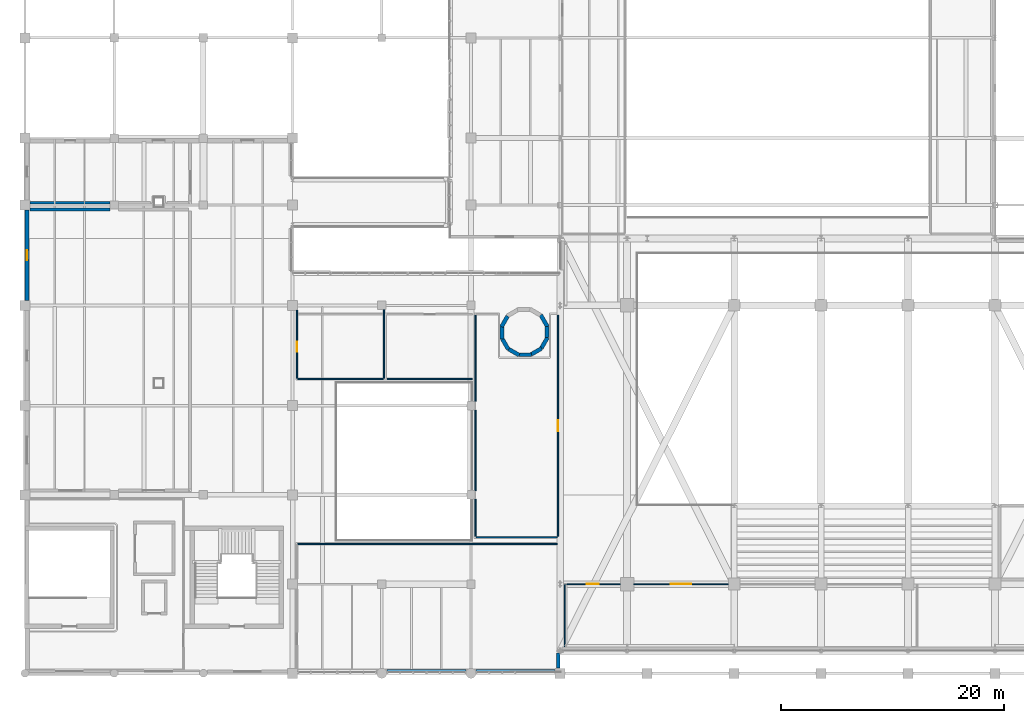
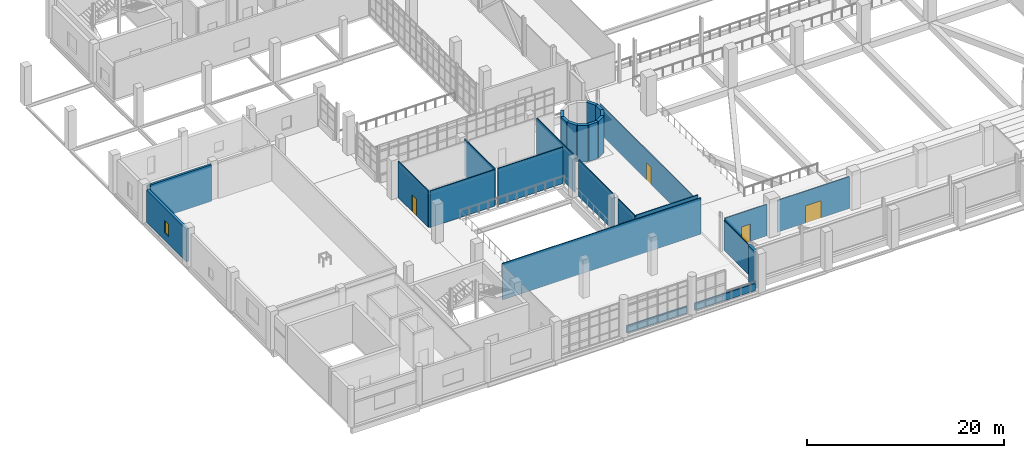
# One storey, part 86 of 100: 28 walls, 4 doors, 1 window, 5 openings.
"""IFC4 building model written with IfcOpenShell, lengths in metres."""

from ifc_helpers import new_model, si_unit, derived_unit, direction, frame, frame_2d, origin, place, context, subcontext, project, spatial, rectangle, extrude, material, layer, layer_set, type_object, element, fill, save


model = new_model("IFC4")

# Units and contexts
model_context = context("Model", 3, precision=1e-05, world=origin(), true_north=direction((0.0, 1.0)))
body_context = subcontext(model_context, "Body", "Model", "MODEL_VIEW")
ifc_project = project(units=[si_unit("LENGTHUNIT", "METRE"), si_unit("AREAUNIT", "SQUARE_METRE"), si_unit("VOLUMEUNIT", "CUBIC_METRE"), si_unit("PLANEANGLEUNIT", "RADIAN"), si_unit("MASSUNIT", "GRAM", prefix="KILO"), derived_unit("THERMALTRANSMITTANCEUNIT", [(si_unit("POWERUNIT", "WATT"), 1), (si_unit("LENGTHUNIT", "METRE"), -2), (si_unit("THERMODYNAMICTEMPERATUREUNIT", "KELVIN"), -1)])], contexts=[model_context])

# Site, building, storey
site_placement = place(None, origin())
site = spatial("IfcSite", under=ifc_project, at=site_placement, CompositionType="ELEMENT")
building_placement = place(site_placement, origin())
building = spatial("IfcBuilding", under=site, at=building_placement, Name="Nallur Shell Playhouse", CompositionType="ELEMENT")
storey_placement = place(building_placement, frame((0.0, 0.0, 10.199951171875)))
storey = spatial("IfcBuildingStorey", under=building, at=storey_placement, Name="L03", CompositionType="ELEMENT", Elevation=10.199951171875)

# Walls
ifc_material_1 = material(Name="Concrete M45", Category="concrete")
ifc_layer_1 = layer(ifc_material_1, 0.39990234375)
ifc_layer_set_1 = layer_set([ifc_layer_1], Name="Concrete M45")
wall_type_1 = type_object("IfcWallType", Name="WL-CORE-400", PredefinedType="SHEAR", material=ifc_layer_set_1)
wall_1_placement = place(storey_placement, frame((62.861328125, 39.08642578125, 0.0), z_axis=(0.0, 0.0, 1.0), x_axis=(-0.499930512259, 0.866065518833, 0.0)))
element("IfcWall", 1, at=wall_1_placement, inside=storey, type_object=wall_type_1, Name="Metabolist service drum DR-1 facet 1 (L03)", PredefinedType="SHEAR", context=body_context, shape_type="SweptSolid", body=[
    extrude(rectangle(XDim=1.218994140625, YDim=0.35009765625, at=frame_2d((0.609375, 0.0))), origin(), (0.0, 0.0, 1.0), 4.5400390625),
])
for number, where, z_axis, x_axis, name in (
    (2, (59.28515625, 40.032958984375, 0.0), (0.0, 0.0, 1.0), (-0.500102687236, -0.865966109163, 0.0), "Metabolist service drum DR-1 facet 5 (L03)"),
    (3, (58.771484375, 39.08349609375, 0.0), (0.0, 0.0, 1.0), (0.0, -1.0, 0.0), "Metabolist service drum DR-1 facet 6 (L03)"),
    (4, (58.801513671875, 38.00439453125, 0.0), (0.0, 0.0, 1.0), (0.500102687236, -0.865966109163, 0.0), "Metabolist service drum DR-1 facet 7 (L03)"),
):
    element("IfcWall", number, at=place(storey_placement, frame(where, z_axis=z_axis, x_axis=x_axis)), inside=storey, type_object=wall_type_1, Name=name, PredefinedType="SHEAR", context=body_context, shape_type="SweptSolid", body=[
        extrude(rectangle(XDim=1.093017578125, YDim=0.35009765625, at=frame_2d((0.54638671875, 0.0))), origin(), (0.0, 0.0, 1.0), 4.5400390625),
    ])
wall_2_placement = place(storey_placement, frame((59.366943359375, 37.085205078125, 0.0), z_axis=(0.0, 0.0, 1.0), x_axis=(0.866021955858, -0.500005971936, 0.0)))
element("IfcWall", 5, at=wall_2_placement, inside=storey, type_object=wall_type_1, Name="Metabolist service drum DR-1 facet 8 (L03)", PredefinedType="SHEAR", context=body_context, shape_type="SweptSolid", body=[
    extrude(rectangle(XDim=1.09326171875, YDim=0.35009765625, at=frame_2d((0.546630859375, 0.0))), origin(), (0.0, 0.0, 1.0), 4.5400390625),
])
for number, where, z_axis, x_axis, name in (
    (6, (60.31640625, 36.571533203125, 0.0), (0.0, 0.0, 1.0), (1.0, 0.0, 0.0), "Metabolist service drum DR-1 facet 9 (L03)"),
    (7, (61.3955078125, 36.6015625, 0.0), (0.0, 0.0, 1.0), (0.865966109163, 0.500102687236, 0.0), "Metabolist service drum DR-1 facet 10 (L03)"),
    (8, (62.31494140625, 37.1669921875, 0.0), (0.0, 0.0, 1.0), (0.499935162227, 0.866062834654, 0.0), "Metabolist service drum DR-1 facet 11 (L03)"),
):
    element("IfcWall", number, at=place(storey_placement, frame(where, z_axis=z_axis, x_axis=x_axis)), inside=storey, type_object=wall_type_1, Name=name, PredefinedType="SHEAR", context=body_context, shape_type="SweptSolid", body=[
        extrude(rectangle(XDim=1.093017578125, YDim=0.35009765625, at=frame_2d((0.54638671875, 0.0))), origin(), (0.0, 0.0, 1.0), 4.5400390625),
    ])
wall_3_placement = place(storey_placement, frame((62.828369140625, 38.116455078125, 0.0), z_axis=(0.0, 0.0, 1.0), x_axis=(0.0, 1.0, 0.0)))
element("IfcWall", 9, at=wall_3_placement, inside=storey, type_object=wall_type_1, Name="Metabolist service drum DR-1 facet 12 (L03)", PredefinedType="SHEAR", context=body_context, shape_type="SweptSolid", body=[
    extrude(rectangle(XDim=0.967041015625, YDim=0.35009765625, at=frame_2d((0.4833984375, 0.0))), origin(), (0.0, 0.0, 1.0), 4.5400390625),
])
ifc_material_2 = material(Name="Concrete M35", Category="concrete")
ifc_layer_2 = layer(ifc_material_2, 0.300048828125)
ifc_layer_set_2 = layer_set([ifc_layer_2], Name="Concrete M35")
wall_type_2 = type_object("IfcWallType", Name="WL-EXT-RC300", PredefinedType="STANDARD", material=ifc_layer_set_2)
wall_4_placement = place(storey_placement, frame((63.830078125, 9.840087890625, 0.0), z_axis=(0.0, 0.0, 1.0), x_axis=(0.0, -1.0, 0.0)))
element("IfcWall", 10, at=wall_4_placement, inside=storey, type_object=wall_type_2, Name="L03 exterior wall EW-L03-156", PredefinedType="STANDARD", context=body_context, shape_type="SweptSolid", body=[
    extrude(rectangle(XDim=1.382080078125, YDim=0.300048828125, at=frame_2d((0.69091796875, 0.0))), origin(), (0.0, 0.0, 1.0), 4.580078125),
])

# Wall, opening, window
ifc_layer_3 = layer(ifc_material_2, 0.320068359375)
ifc_layer_set_3 = layer_set([ifc_layer_3], Name="Concrete M35")
wall_type_3 = type_object("IfcWallType", Name="WL-EXT-RC320", PredefinedType="STANDARD", material=ifc_layer_set_3)
wall_5_placement = place(storey_placement, frame((16.179931640625, 41.4580078125, 0.0), z_axis=(0.0, 0.0, 1.0), x_axis=(0.0, 1.0, 0.0)))
wall_5 = element("IfcWall", 11, at=wall_5_placement, inside=storey, type_object=wall_type_3, Name="L03 exterior wall EW-L03-164", PredefinedType="STANDARD", context=body_context, shape_type="SweptSolid", body=[
    extrude(rectangle(XDim=8.083984375, YDim=0.320068359375, at=frame_2d((4.0419921875, 0.0))), origin(), (0.0, 0.0, 1.0), 4.025146484375),
])
opening_1_placement = place(wall_5_placement, frame((3.592041015625, 0.0, 0.949951171875)))
opening_1 = element("IfcOpeningElement", 12, at=opening_1_placement, cuts=wall_5, Name="Opening WN-02", PredefinedType="OPENING", context=body_context, shape_type="SweptSolid", body=[
    extrude(rectangle(XDim=0.89990234375, YDim=1.5, at=frame_2d((0.449951171875, 0.75))), frame((0.0, 0.169921875, 0.0), z_axis=(0.0, -1.0, 0.0), x_axis=(1.0, 0.0, 0.0)), (0.0, 0.0, 1.0), 0.340087890625),
])
ifc_material_3 = material(Name="Thermally Broken Aluminium Acoustic Double-Glazed Window", Category="aluminium")
window_type = type_object("IfcWindowType", Name="WN-TYPE-02", PartitioningType="SINGLE_PANEL", PredefinedType="WINDOW", material=ifc_material_3)
window_placement = place(opening_1_placement, origin())
window = element("IfcWindow", 13, at=window_placement, inside=storey, type_object=window_type, Name="L03 facade module window 066", OverallHeight=1.5, OverallWidth=0.89990234375, PartitioningType="SINGLE_PANEL", PredefinedType="WINDOW", context=body_context, shape_type="SweptSolid", body=[
    extrude(rectangle(XDim=0.89990234375, YDim=1.5, at=frame_2d((0.449951171875, 0.75))), frame((0.0, 0.030029296875, 0.0), z_axis=(0.0, -1.0, 0.0), x_axis=(1.0, 0.0, 0.0)), (0.0, 0.0, 1.0), 0.06005859375),
])
fill(opening_1, window)

# Walls
ifc_layer_4 = layer(ifc_material_2, 0.179931640625)
ifc_layer_set_4 = layer_set([ifc_layer_4], Name="Concrete M35")
wall_type_4 = type_object("IfcWallType", Name="WL-PARAPET-180", PredefinedType="PARAPET", material=ifc_layer_set_4)
for number, where, z_axis, x_axis, name in (
    (14, (63.5400390625, 8.239990234375, 0.0), (0.0, 0.0, 1.0), (-1.0, 0.0, 0.0), "L03 curtain-wall internal spandrel upstand 040"),
    (15, (55.5400390625, 8.239990234375, 0.0), (0.0, 0.0, 1.0), (-1.0, 0.0, 0.0), "L03 curtain-wall internal spandrel upstand 041"),
):
    element("IfcWall", number, at=place(storey_placement, frame(where, z_axis=z_axis, x_axis=x_axis)), inside=storey, type_object=wall_type_4, Name=name, PredefinedType="PARAPET", context=body_context, shape_type="SweptSolid", body=[
        extrude(rectangle(XDim=7.080078125, YDim=0.179931640625, at=frame_2d((3.5400390625, 0.0))), origin(), (0.0, 0.0, 1.0), 0.880126953125),
    ])
ifc_material_4 = material(Name="Concrete M30", Category="concrete")
ifc_layer_5 = layer(ifc_material_4, 0.25)
ifc_layer_set_5 = layer_set([ifc_layer_5], Name="Concrete M30")
wall_type_5 = type_object("IfcWallType", Name="WL-PART-AC250", PredefinedType="PARTITIONING", material=ifc_layer_set_5)
wall_6_placement = place(storey_placement, frame((16.4541015625, 49.60009765625, 0.0), z_axis=(0.0, 0.0, 1.0), x_axis=(1.0, 0.0, 0.0)))
element("IfcWall", 16, at=wall_6_placement, inside=storey, type_object=wall_type_5, Name="200-Seat Flexible Black-Box Experimental Theatre partition IW-L03-0216", PredefinedType="PARTITIONING", context=body_context, shape_type="SweptSolid", body=[
    extrude(rectangle(XDim=7.156005859375, YDim=0.25, at=frame_2d((3.578125, 0.0))), origin(), (0.0, 0.0, 1.0), 4.530029296875),
])
wall_7_placement = place(storey_placement, frame((23.610107421875, 50.199951171875, 0.0), z_axis=(0.0, 0.0, 1.0), x_axis=(-1.0, 0.0, 0.0)))
element("IfcWall", 17, at=wall_7_placement, inside=storey, type_object=wall_type_5, Name="Black-Box Rostra & Rigging Store partition IW-L03-0224", PredefinedType="PARTITIONING", context=body_context, shape_type="SweptSolid", body=[
    extrude(rectangle(XDim=7.156005859375, YDim=0.25, at=frame_2d((3.578125, 0.0))), origin(), (0.0, 0.0, 1.0), 4.02001953125),
])

# Wall, opening, door
ifc_material_5 = material(Name="Double-Layer Fire-Rated Gypsum Stud Partition")
ifc_layer_6 = layer(ifc_material_5, 0.10009765625)
ifc_layer_set_6 = layer_set([ifc_layer_6], Name="Double-Layer Fire-Rated Gypsum Stud Partition")
wall_type_6 = type_object("IfcWallType", Name="WL-PART-DRY100", PredefinedType="PARTITIONING", material=ifc_layer_set_6)
wall_8_placement = place(storey_placement, frame((64.469970703125, 16.0, 0.0), z_axis=(0.0, 0.0, 1.0), x_axis=(1.0, 0.0, 0.0)))
wall_8 = element("IfcWall", 18, at=wall_8_placement, inside=storey, type_object=wall_type_6, Name="Dress Circle Cantilevered Promenade Foyer partition IW-L03-0225", PredefinedType="PARTITIONING", context=body_context, shape_type="SweptSolid", body=[
    extrude(rectangle(XDim=4.9150390625, YDim=0.10009765625, at=frame_2d((2.45751953125, 0.0))), origin(), (0.0, 0.0, 1.0), 3.920166015625),
])
opening_2_placement = place(wall_8_placement, frame((1.93310546875, 0.0, 0.0)))
opening_2 = element("IfcOpeningElement", 19, at=opening_2_placement, cuts=wall_8, Name="Opening ID-02", PredefinedType="OPENING", context=body_context, shape_type="SweptSolid", body=[
    extrude(rectangle(XDim=1.050048828125, YDim=2.14990234375, at=frame_2d((0.52490234375, 1.074951171875))), frame((0.0, 0.06005859375, 0.0), z_axis=(0.0, -1.0, 0.0), x_axis=(1.0, 0.0, 0.0)), (0.0, 0.0, 1.0), 0.1201171875),
])
ifc_material_6 = material(Name="Solid-Core Engineered Timber Fire Door", Category="wood")
door_type_1 = type_object("IfcDoorType", Name="DR-INT-SGL1050R", OperationType="SINGLE_SWING_RIGHT", PredefinedType="DOOR", material=ifc_material_6)
door_1_placement = place(opening_2_placement, origin())
door_1 = element("IfcDoor", 20, at=door_1_placement, inside=storey, type_object=door_type_1, Name="Dress Circle Cantilevered Promenade Foyer door 1", OperationType="SINGLE_SWING_RIGHT", OverallHeight=2.14990234375, OverallWidth=1.050048828125, PredefinedType="DOOR", context=body_context, shape_type="SweptSolid", body=[
    extrude(rectangle(XDim=1.050048828125, YDim=2.14990234375, at=frame_2d((0.52490234375, 1.074951171875))), frame((0.0, 0.02490234375, 0.0), z_axis=(0.0, -1.0, 0.0), x_axis=(1.0, 0.0, 0.0)), (0.0, 0.0, 1.0), 0.050048828125),
])
fill(opening_2, door_1)

wall_9_placement = place(storey_placement, frame((70.614990234375, 16.0, 0.0), z_axis=(0.0, 0.0, 1.0), x_axis=(1.0, 0.0, 0.0)))
wall_9 = element("IfcWall", 21, at=wall_9_placement, inside=storey, type_object=wall_type_6, Name="Dress Circle Cantilevered Promenade Foyer partition IW-L03-0226", PredefinedType="PARTITIONING", context=body_context, shape_type="SweptSolid", body=[
    extrude(rectangle(XDim=8.445068359375, YDim=0.10009765625, at=frame_2d((4.22265625, 0.0))), origin(), (0.0, 0.0, 1.0), 3.969970703125),
])
opening_3_placement = place(wall_9_placement, frame((3.322998046875, 0.0, 0.0)))
opening_3 = element("IfcOpeningElement", 22, at=opening_3_placement, cuts=wall_9, Name="Opening FD-FL1", PredefinedType="OPENING", context=body_context, shape_type="SweptSolid", body=[
    extrude(rectangle(XDim=1.800048828125, YDim=2.14990234375, at=frame_2d((0.89990234375, 1.074951171875))), frame((0.0, 0.06005859375, 0.0), z_axis=(0.0, -1.0, 0.0), x_axis=(1.0, 0.0, 0.0)), (0.0, 0.0, 1.0), 0.1201171875),
])
ifc_material_7 = material(Name="Firefighting Lobby Smoke-Seal Double Door")
door_type_2 = type_object("IfcDoorType", Name="DR-INT-FFL-DBL", OperationType="DOUBLE_DOOR_SINGLE_SWING", PredefinedType="DOOR", material=ifc_material_7)
door_2_placement = place(opening_3_placement, origin())
door_2 = element("IfcDoor", 23, at=door_2_placement, inside=storey, type_object=door_type_2, Name="L03 circulation link door 0077", OperationType="DOUBLE_DOOR_SINGLE_SWING", OverallHeight=2.14990234375, OverallWidth=1.800048828125, PredefinedType="DOOR", context=body_context, shape_type="SweptSolid", body=[
    extrude(rectangle(XDim=1.800048828125, YDim=2.14990234375, at=frame_2d((0.89990234375, 1.074951171875))), frame((0.0, 0.02490234375, 0.0), z_axis=(0.0, -1.0, 0.0), x_axis=(1.0, 0.0, 0.0)), (0.0, 0.0, 1.0), 0.050048828125),
])
fill(opening_3, door_2)

# Walls
wall_10_placement = place(storey_placement, frame((64.39990234375, 10.3740234375, 0.0), z_axis=(0.0, 0.0, 1.0), x_axis=(0.0, 1.0, 0.0)))
element("IfcWall", 24, at=wall_10_placement, inside=storey, type_object=wall_type_6, Name="Dress Circle Cantilevered Promenade Foyer partition IW-L03-0230", PredefinedType="PARTITIONING", context=body_context, shape_type="SweptSolid", body=[
    extrude(rectangle(XDim=5.555908203125, YDim=0.10009765625, at=frame_2d((2.77783203125, 0.0))), origin(), (0.0, 0.0, 1.0), 3.719970703125),
])
wall_11_placement = place(storey_placement, frame((40.469970703125, 19.60009765625, 0.0), z_axis=(0.0, 0.0, 1.0), x_axis=(1.0, 0.0, 0.0)))
element("IfcWall", 25, at=wall_11_placement, inside=storey, type_object=wall_type_6, Name="Monsoon Atrium Dress Circle Gallery partition IW-L03-0231", PredefinedType="PARTITIONING", context=body_context, shape_type="SweptSolid", body=[
    extrude(rectangle(XDim=23.260009765625, YDim=0.10009765625, at=frame_2d((11.6298828125, 0.0))), origin(), (0.0, 0.0, 1.0), 4.530029296875),
])

# Wall, opening, door
wall_12_placement = place(storey_placement, frame((63.800048828125, 40.1298828125, 0.0), z_axis=(0.0, 0.0, 1.0), x_axis=(0.0, -1.0, 0.0)))
wall_12 = element("IfcWall", 26, at=wall_12_placement, inside=storey, type_object=wall_type_6, Name="Dress Circle Lounge Bar partition IW-L03-0235", PredefinedType="PARTITIONING", context=body_context, shape_type="SweptSolid", body=[
    extrude(rectangle(XDim=19.85986328125, YDim=0.10009765625, at=frame_2d((9.929931640625, 0.0))), origin(), (0.0, 0.0, 1.0), 3.719970703125),
])
opening_4_placement = place(wall_12_placement, frame((9.455078125, 0.0, 0.0)))
opening_4 = element("IfcOpeningElement", 27, at=opening_4_placement, cuts=wall_12, Name="Opening ID-04", PredefinedType="OPENING", context=body_context, shape_type="SweptSolid", body=[
    extrude(rectangle(XDim=0.949951171875, YDim=2.14990234375, at=frame_2d((0.47509765625, 1.074951171875))), frame((0.0, 0.06005859375, 0.0), z_axis=(0.0, -1.0, 0.0), x_axis=(1.0, 0.0, 0.0)), (0.0, 0.0, 1.0), 0.1201171875),
])
ifc_material_8 = material(Name="Solid-Core Engineered Timber Door", Category="wood")
door_type_3 = type_object("IfcDoorType", Name="DR-INT-SGL950R", OperationType="SINGLE_SWING_RIGHT", PredefinedType="DOOR", material=ifc_material_8)
door_3_placement = place(opening_4_placement, origin())
door_3 = element("IfcDoor", 28, at=door_3_placement, inside=storey, type_object=door_type_3, Name="Dress Circle Lounge Bar door 1", OperationType="SINGLE_SWING_RIGHT", OverallHeight=2.14990234375, OverallWidth=0.949951171875, PredefinedType="DOOR", context=body_context, shape_type="SweptSolid", body=[
    extrude(rectangle(XDim=0.949951171875, YDim=2.14990234375, at=frame_2d((0.47509765625, 1.074951171875))), frame((0.0, 0.02490234375, 0.0), z_axis=(0.0, -1.0, 0.0), x_axis=(1.0, 0.0, 0.0)), (0.0, 0.0, 1.0), 0.050048828125),
])
fill(opening_4, door_3)

# Walls
wall_13_placement = place(storey_placement, frame((63.72998046875, 20.199951171875, 0.0), z_axis=(0.0, 0.0, 1.0), x_axis=(-1.0, 0.0, 0.0)))
element("IfcWall", 29, at=wall_13_placement, inside=storey, type_object=wall_type_6, Name="Dress Circle Lounge Bar partition IW-L03-0236", PredefinedType="PARTITIONING", context=body_context, shape_type="SweptSolid", body=[
    extrude(rectangle(XDim=7.260009765625, YDim=0.10009765625, at=frame_2d((3.6298828125, 0.0))), origin(), (0.0, 0.0, 1.0), 4.530029296875),
])
wall_14_placement = place(storey_placement, frame((56.39990234375, 20.27001953125, 0.0), z_axis=(0.0, 0.0, 1.0), x_axis=(0.0, 1.0, 0.0)))
element("IfcWall", 30, at=wall_14_placement, inside=storey, type_object=wall_type_6, Name="Dress Circle Lounge Bar partition IW-L03-0237", PredefinedType="PARTITIONING", context=body_context, shape_type="SweptSolid", body=[
    extrude(rectangle(XDim=3.340087890625, YDim=0.10009765625, at=frame_2d((1.669921875, 0.0))), origin(), (0.0, 0.0, 1.0), 4.530029296875),
])
wall_15_placement = place(storey_placement, frame((56.39990234375, 24.389892578125, 0.0), z_axis=(0.0, 0.0, 1.0), x_axis=(0.0, 1.0, 0.0)))
element("IfcWall", 31, at=wall_15_placement, inside=storey, type_object=wall_type_6, Name="Dress Circle Lounge Bar partition IW-L03-0238", PredefinedType="PARTITIONING", context=body_context, shape_type="SweptSolid", body=[
    extrude(rectangle(XDim=7.22021484375, YDim=0.10009765625, at=frame_2d((3.610107421875, 0.0))), origin(), (0.0, 0.0, 1.0), 4.530029296875),
])
wall_16_placement = place(storey_placement, frame((56.39990234375, 32.389892578125, 0.0), z_axis=(0.0, 0.0, 1.0), x_axis=(0.0, 1.0, 0.0)))
element("IfcWall", 32, at=wall_16_placement, inside=storey, type_object=wall_type_6, Name="Dress Circle Lounge Bar partition IW-L03-0239", PredefinedType="PARTITIONING", context=body_context, shape_type="SweptSolid", body=[
    extrude(rectangle(XDim=7.739990234375, YDim=0.10009765625, at=frame_2d((3.8701171875, 0.0))), origin(), (0.0, 0.0, 1.0), 4.530029296875),
])
ifc_material_9 = material(Name="Concrete M25 Fire Blockwork", Category="masonry")
ifc_layer_7 = layer(ifc_material_9, 0.1201171875)
ifc_layer_set_7 = layer_set([ifc_layer_7], Name="Concrete M25 Fire Blockwork")
wall_type_7 = type_object("IfcWallType", Name="WL-PART-WET120", PredefinedType="PARTITIONING", material=ifc_layer_set_7)
wall_17_placement = place(storey_placement, frame((48.199951171875, 40.62109375, 0.0), z_axis=(0.0, 0.0, 1.0), x_axis=(0.0, -1.0, 0.0)))
element("IfcWall", 33, at=wall_17_placement, inside=storey, type_object=wall_type_7, Name="Dress Circle Male Restroom partition IW-L03-0262", PredefinedType="PARTITIONING", context=body_context, shape_type="SweptSolid", body=[
    extrude(rectangle(XDim=6.14111328125, YDim=0.1201171875, at=frame_2d((3.070556640625, 0.0))), origin(), (0.0, 0.0, 1.0), 4.530029296875),
])
wall_18_placement = place(storey_placement, frame((48.1201171875, 34.39990234375, 0.0), z_axis=(0.0, 0.0, 1.0), x_axis=(-1.0, 0.0, 0.0)))
element("IfcWall", 34, at=wall_18_placement, inside=storey, type_object=wall_type_7, Name="Dress Circle Male Restroom partition IW-L03-0263", PredefinedType="PARTITIONING", context=body_context, shape_type="SweptSolid", body=[
    extrude(rectangle(XDim=7.64013671875, YDim=0.1201171875, at=frame_2d((3.820068359375, 0.0))), origin(), (0.0, 0.0, 1.0), 4.530029296875),
])

# Wall, opening, door
wall_19_placement = place(storey_placement, frame((40.39990234375, 34.47998046875, 0.0), z_axis=(0.0, 0.0, 1.0), x_axis=(0.0, 1.0, 0.0)))
wall_19 = element("IfcWall", 35, at=wall_19_placement, inside=storey, type_object=wall_type_7, Name="Dress Circle Male Restroom partition IW-L03-0264", PredefinedType="PARTITIONING", context=body_context, shape_type="SweptSolid", body=[
    extrude(rectangle(XDim=6.06591796875, YDim=0.1201171875, at=frame_2d((3.032958984375, 0.0))), origin(), (0.0, 0.0, 1.0), 4.530029296875),
])
opening_5_placement = place(wall_19_placement, frame((2.3798828125, 0.0, 0.0)))
opening_5 = element("IfcOpeningElement", 36, at=opening_5_placement, cuts=wall_19, Name="Opening WD-02", PredefinedType="OPENING", context=body_context, shape_type="SweptSolid", body=[
    extrude(rectangle(XDim=0.8798828125, YDim=2.10009765625, at=frame_2d((0.43994140625, 1.050048828125))), frame((0.0, 0.070068359375, 0.0), z_axis=(0.0, -1.0, 0.0), x_axis=(1.0, 0.0, 0.0)), (0.0, 0.0, 1.0), 0.14013671875),
])
ifc_material_10 = material(Name="Moisture-Resistant Laminate Restroom Door")
door_type_4 = type_object("IfcDoorType", Name="DR-INT-WC880R", OperationType="SINGLE_SWING_RIGHT", PredefinedType="DOOR", material=ifc_material_10)
door_4_placement = place(opening_5_placement, origin())
door_4 = element("IfcDoor", 37, at=door_4_placement, inside=storey, type_object=door_type_4, Name="Dress Circle Male Restroom door 1", OperationType="SINGLE_SWING_RIGHT", OverallHeight=2.10009765625, OverallWidth=0.8798828125, PredefinedType="DOOR", context=body_context, shape_type="SweptSolid", body=[
    extrude(rectangle(XDim=0.8798828125, YDim=2.10009765625, at=frame_2d((0.43994140625, 1.050048828125))), frame((0.0, 0.02490234375, 0.0), z_axis=(0.0, -1.0, 0.0), x_axis=(1.0, 0.0, 0.0)), (0.0, 0.0, 1.0), 0.050048828125),
])
fill(opening_5, door_4)

# Wall
wall_20_placement = place(storey_placement, frame((56.1201171875, 34.39990234375, 0.0), z_axis=(0.0, 0.0, 1.0), x_axis=(-1.0, 0.0, 0.0)))
element("IfcWall", 38, at=wall_20_placement, inside=storey, type_object=wall_type_7, Name="Dress Circle Female Restroom partition IW-L03-0266", PredefinedType="PARTITIONING", context=body_context, shape_type="SweptSolid", body=[
    extrude(rectangle(XDim=7.64013671875, YDim=0.1201171875, at=frame_2d((3.820068359375, 0.0))), origin(), (0.0, 0.0, 1.0), 4.530029296875),
])

save(model, "model.ifc")
